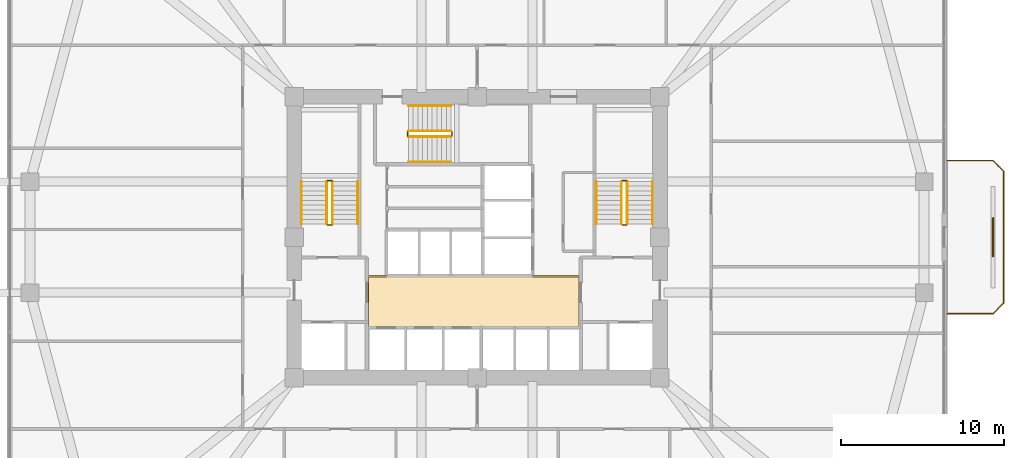
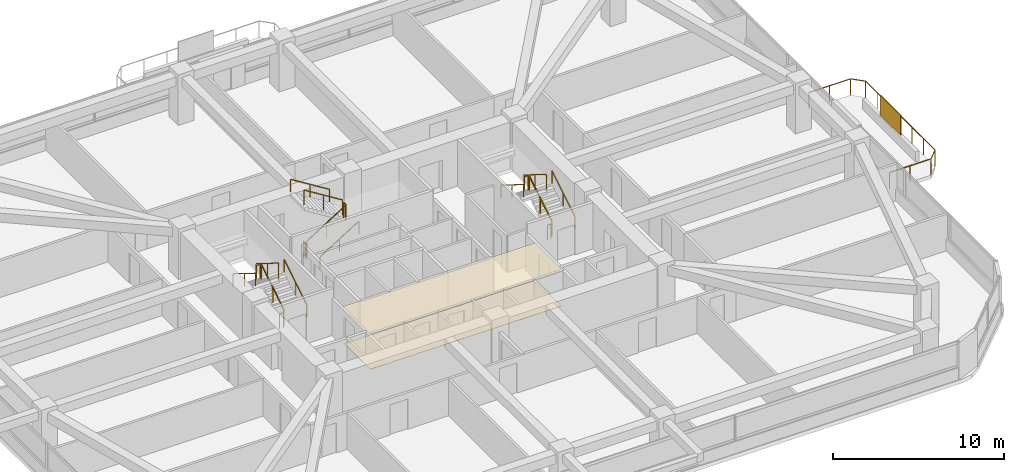
# One storey, part 13 of 14: 19 railings, 2 coverings, 1 shading device.
"""IFC4 building model written with IfcOpenShell, lengths in metres."""

from ifc_helpers import new_model, si_unit, derived_unit, direction, frame, origin, origin_2d, place, context, subcontext, project, spatial, polyline, rectangle, outline, extrude, material, layer, layer_set, type_object, element, save


model = new_model("IFC4")

# Units and contexts
model_context = context("Model", 3, precision=1e-05, world=origin(), true_north=direction((0.0, 1.0)))
body_context = subcontext(model_context, "Body", "Model", "MODEL_VIEW")
ifc_project = project(units=[si_unit("LENGTHUNIT", "METRE"), si_unit("AREAUNIT", "SQUARE_METRE"), si_unit("VOLUMEUNIT", "CUBIC_METRE"), si_unit("PLANEANGLEUNIT", "RADIAN"), si_unit("MASSUNIT", "GRAM", prefix="KILO"), derived_unit("THERMALTRANSMITTANCEUNIT", [(si_unit("POWERUNIT", "WATT"), 1), (si_unit("LENGTHUNIT", "METRE"), -2), (si_unit("THERMODYNAMICTEMPERATUREUNIT", "KELVIN"), -1)])], contexts=[model_context])

# Site, building, storey
site_placement = place(None, origin())
site = spatial("IfcSite", under=ifc_project, at=site_placement, CompositionType="ELEMENT")
building_placement = place(site_placement, origin())
building = spatial("IfcBuilding", under=site, at=building_placement, Name="Koralith Skygarden Medical Center", CompositionType="ELEMENT")
storey_placement = place(building_placement, frame((0.0, 0.0, 45.5400390625)))
storey = spatial("IfcBuildingStorey", under=building, at=storey_placement, Name="L11", CompositionType="ELEMENT", Elevation=45.5400390625)

# Covering
ifc_material_1 = material(Name="Acoustic Mineral Tile")
ifc_layer_1 = layer(ifc_material_1, 0.02001953125)
ifc_layer_set_1 = layer_set([ifc_layer_1], Name="Acoustic Mineral Tile")
covering_type_1 = type_object("IfcCoveringType", Name="Acoustic Hygienic Mineral Ceiling 20", PredefinedType="CEILING", material=ifc_layer_set_1)
covering_1_placement = place(storey_placement, frame((0.0, 0.0, 2.5849609375)))
element("IfcCovering", 1, at=covering_1_placement, inside=storey, type_object=covering_type_1, Name="L11 Core Lobby Acoustic Ceiling", PredefinedType="CEILING", context=body_context, shape_type="SweptSolid", body=[
    extrude(outline(polyline([(30.25, 20.320068359375), (43.35009765625, 20.320068359375), (43.35009765625, 23.56005859375), (30.25, 23.56005859375), (30.25, 20.320068359375)])), origin(), (0.0, 0.0, 1.0), 0.02001953125),
])

# Railing
ifc_material_2 = material(Name="Steel ASTM A500 Grade C", Category="steel")
railing_type_1 = type_object("IfcRailingType", Name="Outdoor Terrace & Balcony Safety Guardrail 1180", PredefinedType="GUARDRAIL", material=ifc_material_2)
railing_1_placement = place(storey_placement, frame((65.800048828125, 21.199951171875, 0.0)))
element("IfcRailing", 2, at=railing_1_placement, inside=storey, type_object=railing_type_1, Name="L11 E Balcony Perimeter Guardrail", PredefinedType="GUARDRAIL", context=body_context, shape_type="SweptSolid", body=[
    extrude(rectangle(XDim=0.050048828125, YDim=0.050048828125, at=origin_2d()), frame((0.001953125, 0.0, 1.15478515625), z_axis=(1.0, 0.0, 0.0), x_axis=(0.0, 1.0, 0.0)), (0.0, 0.0, 1.0), 2.796142578125),
    extrude(rectangle(XDim=0.050048828125, YDim=0.050048828125, at=origin_2d()), frame((2.801513671875, 0.00146484375, 1.15478515625), z_axis=(0.706973978714, 0.707239558722, 0.0), x_axis=(-0.707239558722, 0.706973978714, 0.0)), (0.0, 0.0, 1.0), 0.915283203125),
    extrude(rectangle(XDim=0.050048828125, YDim=0.050048828125, at=origin_2d()), frame((3.449951171875, 0.652099609375, 1.15478515625), z_axis=(0.0, 1.0, 0.0), x_axis=(-1.0, 0.0, 0.0)), (0.0, 0.0, 1.0), 8.095947265625),
    extrude(rectangle(XDim=0.050048828125, YDim=0.050048828125, at=origin_2d()), frame((3.448486328125, 8.75146484375, 1.15478515625), z_axis=(-0.706973978714, 0.707239558722, 0.0), x_axis=(-0.707239558722, -0.706973978714, 0.0)), (0.0, 0.0, 1.0), 0.915283203125),
    extrude(rectangle(XDim=0.050048828125, YDim=0.050048828125, at=origin_2d()), frame((2.798095703125, 9.400146484375, 1.15478515625), z_axis=(-1.0, 0.0, 0.0), x_axis=(0.0, -1.0, 0.0)), (0.0, 0.0, 1.0), 2.796142578125),
    extrude(rectangle(XDim=0.0419921875, YDim=0.0419921875, at=origin_2d()), origin(), (0.0, 0.0, 1.0), 1.1279296875),
    extrude(rectangle(XDim=0.0419921875, YDim=0.0419921875, at=origin_2d()), frame((1.39990234375, 0.0, 0.0)), (0.0, 0.0, 1.0), 1.1279296875),
    extrude(rectangle(XDim=0.0419921875, YDim=0.0419921875, at=origin_2d()), frame((2.800048828125, 0.0, 0.0)), (0.0, 0.0, 1.0), 1.1279296875),
    extrude(rectangle(XDim=0.0419921875, YDim=0.0419921875, at=origin_2d()), frame((3.449951171875, 0.650146484375, 0.0)), (0.0, 0.0, 1.0), 1.1279296875),
    extrude(rectangle(XDim=0.0419921875, YDim=0.0419921875, at=origin_2d()), frame((3.449951171875, 2.0, 0.0)), (0.0, 0.0, 1.0), 1.1279296875),
    extrude(rectangle(XDim=0.0419921875, YDim=0.0419921875, at=origin_2d()), frame((3.449951171875, 3.35009765625, 0.0)), (0.0, 0.0, 1.0), 1.1279296875),
    extrude(rectangle(XDim=0.0419921875, YDim=0.0419921875, at=origin_2d()), frame((3.449951171875, 4.7001953125, 0.0)), (0.0, 0.0, 1.0), 1.1279296875),
    extrude(rectangle(XDim=0.0419921875, YDim=0.0419921875, at=origin_2d()), frame((3.449951171875, 6.050048828125, 0.0)), (0.0, 0.0, 1.0), 1.1279296875),
    extrude(rectangle(XDim=0.0419921875, YDim=0.0419921875, at=origin_2d()), frame((3.449951171875, 7.39990234375, 0.0)), (0.0, 0.0, 1.0), 1.1279296875),
    extrude(rectangle(XDim=0.0419921875, YDim=0.0419921875, at=origin_2d()), frame((3.449951171875, 8.75, 0.0)), (0.0, 0.0, 1.0), 1.1279296875),
    extrude(rectangle(XDim=0.0419921875, YDim=0.0419921875, at=origin_2d()), frame((2.800048828125, 9.400146484375, 0.0)), (0.0, 0.0, 1.0), 1.1279296875),
    extrude(rectangle(XDim=0.0419921875, YDim=0.0419921875, at=origin_2d()), frame((1.39990234375, 9.400146484375, 0.0)), (0.0, 0.0, 1.0), 1.1279296875),
    extrude(rectangle(XDim=0.0419921875, YDim=0.0419921875, at=origin_2d()), frame((0.0, 9.400146484375, 0.0)), (0.0, 0.0, 1.0), 1.1279296875),
])

# Shading device
ifc_material_3 = material(Name="Aluminium 6063-T6", Category="aluminium")
ifc_layer_2 = layer(ifc_material_3, 0.080078125)
ifc_layer_set_2 = layer_set([ifc_layer_2], Name="Aluminium 6063-T6")
shading_device_type = type_object("IfcShadingDeviceType", Name="Perforated Biophilic Balcony Trellis Screen", PredefinedType="USERDEFINED", material=ifc_layer_set_2)
shading_device_placement = place(storey_placement, frame((68.60009765625, 25.89990234375, 0.719970703125), z_axis=(0.0, 0.0, 1.0), x_axis=(0.0, 1.0, 0.0)))
element("IfcShadingDevice", 3, at=shading_device_placement, inside=storey, type_object=shading_device_type, Name="L11 E Biophilic Balcony Trellis Screen", ObjectType="HURRICANE SCREEN", PredefinedType="USERDEFINED", context=body_context, shape_type="SweptSolid", body=[
    extrude(rectangle(XDim=2.39990234375, YDim=0.080078125, at=origin_2d()), origin(), (0.0, 0.0, 1.0), 1.39990234375),
])

# Covering
ifc_material_4 = material(Name="Medical Terrazzo Flooring")
ifc_layer_3 = layer(ifc_material_4, 0.014892578125)
ifc_layer_set_3 = layer_set([ifc_layer_3], Name="Medical Terrazzo Flooring")
covering_type_2 = type_object("IfcCoveringType", Name="Seamless Antimicrobial Terrazzo Flooring 15", PredefinedType="FLOORING", material=ifc_layer_set_3)
covering_2_placement = place(storey_placement, origin())
element("IfcCovering", 4, at=covering_2_placement, inside=storey, type_object=covering_type_2, Name="L11 Core Lobby Terrazzo Flooring", PredefinedType="FLOORING", context=body_context, shape_type="SweptSolid", body=[
    extrude(outline(polyline([(30.35009765625, 20.419921875), (43.25, 20.419921875), (43.25, 23.4599609375), (30.35009765625, 23.4599609375), (30.35009765625, 20.419921875)])), origin(), (0.0, 0.0, 1.0), 0.014892578125),
])

# Railings
railing_type_2 = type_object("IfcRailingType", Name="Stair Flight Tubular Handrail 920", PredefinedType="HANDRAIL", material=ifc_material_2)
railing_2_placement = place(storey_placement, frame((29.699951171875, 26.699951171875, 0.179931640625)))
element("IfcRailing", 5, at=railing_2_placement, inside=storey, type_object=railing_type_2, Name="L11 ST1 stair handrail 1", PredefinedType="HANDRAIL", context=body_context, shape_type="SweptSolid", body=[
    extrude(rectangle(XDim=0.050048828125, YDim=0.050048828125, at=origin_2d()), frame((0.0, 0.001708984375, 0.89599609375), z_axis=(0.0, 0.849632798774, 0.527374731332), x_axis=(-1.0, 0.0, 0.0)), (0.0, 0.0, 1.0), 3.068115234375),
    extrude(rectangle(XDim=0.0419921875, YDim=0.0419921875, at=origin_2d()), origin(), (0.0, 0.0, 1.0), 0.867919921875),
    extrude(rectangle(XDim=0.0419921875, YDim=0.0419921875, at=origin_2d()), frame((0.0, 1.30517578125, 0.81005859375)), (0.0, 0.0, 1.0), 0.867919921875),
    extrude(rectangle(XDim=0.0419921875, YDim=0.0419921875, at=origin_2d()), frame((0.0, 2.610107421875, 1.6201171875)), (0.0, 0.0, 1.0), 0.867919921875),
])
railing_3_placement = place(storey_placement, frame((26.25, 29.31005859375, 1.97998046875)))
element("IfcRailing", 6, at=railing_3_placement, inside=storey, type_object=railing_type_2, Name="L11 ST1 stair handrail 2", PredefinedType="HANDRAIL", context=body_context, shape_type="SweptSolid", body=[
    extrude(rectangle(XDim=0.050048828125, YDim=0.050048828125, at=origin_2d()), frame((0.0, -0.001708984375, 0.89599609375), z_axis=(0.0, -0.849668407637, 0.527317358963), x_axis=(1.0, 0.0, 0.0)), (0.0, 0.0, 1.0), 3.06787109375),
    extrude(rectangle(XDim=0.0419921875, YDim=0.0419921875, at=origin_2d()), origin(), (0.0, 0.0, 1.0), 0.867919921875),
    extrude(rectangle(XDim=0.0419921875, YDim=0.0419921875, at=origin_2d()), frame((0.0, -1.30517578125, 0.81005859375)), (0.0, 0.0, 1.0), 0.867919921875),
    extrude(rectangle(XDim=0.0419921875, YDim=0.0419921875, at=origin_2d()), frame((0.0, -2.610107421875, 1.619873046875)), (0.0, 0.0, 1.0), 0.867919921875),
])
railing_4_placement = place(storey_placement, frame((47.75, 26.699951171875, 0.179931640625)))
element("IfcRailing", 7, at=railing_4_placement, inside=storey, type_object=railing_type_2, Name="L11 ST2 stair handrail 1", PredefinedType="HANDRAIL", context=body_context, shape_type="SweptSolid", body=[
    extrude(rectangle(XDim=0.050048828125, YDim=0.050048828125, at=origin_2d()), frame((0.0, 0.001708984375, 0.89599609375), z_axis=(0.0, 0.849632798774, 0.527374731332), x_axis=(-1.0, 0.0, 0.0)), (0.0, 0.0, 1.0), 3.068115234375),
    extrude(rectangle(XDim=0.0419921875, YDim=0.0419921875, at=origin_2d()), origin(), (0.0, 0.0, 1.0), 0.867919921875),
    extrude(rectangle(XDim=0.0419921875, YDim=0.0419921875, at=origin_2d()), frame((0.0, 1.30517578125, 0.81005859375)), (0.0, 0.0, 1.0), 0.867919921875),
    extrude(rectangle(XDim=0.0419921875, YDim=0.0419921875, at=origin_2d()), frame((0.0, 2.610107421875, 1.6201171875)), (0.0, 0.0, 1.0), 0.867919921875),
])
railing_5_placement = place(storey_placement, frame((44.300048828125, 29.31005859375, 1.97998046875)))
element("IfcRailing", 8, at=railing_5_placement, inside=storey, type_object=railing_type_2, Name="L11 ST2 stair handrail 2", PredefinedType="HANDRAIL", context=body_context, shape_type="SweptSolid", body=[
    extrude(rectangle(XDim=0.050048828125, YDim=0.050048828125, at=origin_2d()), frame((0.0, -0.001708984375, 0.89599609375), z_axis=(0.0, -0.849668407637, 0.527317358963), x_axis=(1.0, 0.0, 0.0)), (0.0, 0.0, 1.0), 3.06787109375),
    extrude(rectangle(XDim=0.0419921875, YDim=0.0419921875, at=origin_2d()), origin(), (0.0, 0.0, 1.0), 0.867919921875),
    extrude(rectangle(XDim=0.0419921875, YDim=0.0419921875, at=origin_2d()), frame((0.0, -1.30517578125, 0.81005859375)), (0.0, 0.0, 1.0), 0.867919921875),
    extrude(rectangle(XDim=0.0419921875, YDim=0.0419921875, at=origin_2d()), frame((0.0, -2.610107421875, 1.619873046875)), (0.0, 0.0, 1.0), 0.867919921875),
])
railing_6_placement = place(storey_placement, frame((32.800048828125, 30.5, 0.179931640625)))
element("IfcRailing", 9, at=railing_6_placement, inside=storey, type_object=railing_type_2, Name="L11 ST3 stair handrail 1", PredefinedType="HANDRAIL", context=body_context, shape_type="SweptSolid", body=[
    extrude(rectangle(XDim=0.050048828125, YDim=0.050048828125, at=origin_2d()), frame((0.001708984375, 0.0, 0.89599609375), z_axis=(0.849610693518, 0.0, 0.52741034258), x_axis=(0.0, 1.0, 0.0)), (0.0, 0.0, 1.0), 3.06787109375),
    extrude(rectangle(XDim=0.0419921875, YDim=0.0419921875, at=origin_2d()), origin(), (0.0, 0.0, 1.0), 0.867919921875),
    extrude(rectangle(XDim=0.0419921875, YDim=0.0419921875, at=origin_2d()), frame((1.304931640625, 0.0, 0.81005859375)), (0.0, 0.0, 1.0), 0.867919921875),
    extrude(rectangle(XDim=0.0419921875, YDim=0.0419921875, at=origin_2d()), frame((2.60986328125, 0.0, 1.6201171875)), (0.0, 0.0, 1.0), 0.867919921875),
])
railing_7_placement = place(storey_placement, frame((35.409912109375, 33.949951171875, 1.97998046875)))
element("IfcRailing", 10, at=railing_7_placement, inside=storey, type_object=railing_type_2, Name="L11 ST3 stair handrail 2", PredefinedType="HANDRAIL", context=body_context, shape_type="SweptSolid", body=[
    extrude(rectangle(XDim=0.050048828125, YDim=0.050048828125, at=origin_2d()), frame((-0.001708984375, 0.0, 0.89599609375), z_axis=(-0.849646306263, 0.0, 0.527352969322), x_axis=(0.0, -1.0, 0.0)), (0.0, 0.0, 1.0), 3.067626953125),
    extrude(rectangle(XDim=0.0419921875, YDim=0.0419921875, at=origin_2d()), origin(), (0.0, 0.0, 1.0), 0.867919921875),
    extrude(rectangle(XDim=0.0419921875, YDim=0.0419921875, at=origin_2d()), frame((-1.304931640625, 0.0, 0.81005859375)), (0.0, 0.0, 1.0), 0.867919921875),
    extrude(rectangle(XDim=0.0419921875, YDim=0.0419921875, at=origin_2d()), frame((-2.60986328125, 0.0, 1.619873046875)), (0.0, 0.0, 1.0), 0.867919921875),
])
railing_type_3 = type_object("IfcRailingType", Name="Stair Well Safety Guardrail 1100", PredefinedType="GUARDRAIL", material=ifc_material_2)
railing_8_placement = place(storey_placement, frame((28.14990234375, 26.699951171875, 0.179931640625)))
element("IfcRailing", 11, at=railing_8_placement, inside=storey, type_object=railing_type_3, Name="L11 ST1 stair guard 1", PredefinedType="GUARDRAIL", context=body_context, shape_type="SweptSolid", body=[
    extrude(rectangle(XDim=0.050048828125, YDim=0.050048828125, at=origin_2d()), frame((0.0, 0.001708984375, 1.076171875), z_axis=(0.0, 0.849632798774, 0.527374731332), x_axis=(-1.0, 0.0, 0.0)), (0.0, 0.0, 1.0), 3.068115234375),
    extrude(rectangle(XDim=0.0419921875, YDim=0.0419921875, at=origin_2d()), origin(), (0.0, 0.0, 1.0), 1.048095703125),
    extrude(rectangle(XDim=0.0419921875, YDim=0.0419921875, at=origin_2d()), frame((0.0, 1.30517578125, 0.81005859375)), (0.0, 0.0, 1.0), 1.048095703125),
    extrude(rectangle(XDim=0.0419921875, YDim=0.0419921875, at=origin_2d()), frame((0.0, 2.610107421875, 1.6201171875)), (0.0, 0.0, 1.0), 1.048095703125),
])
railing_9_placement = place(storey_placement, frame((28.10009765625, 29.360107421875, 1.800048828125)))
element("IfcRailing", 12, at=railing_9_placement, inside=storey, type_object=railing_type_3, Name="L11 ST1 stair guard 2", PredefinedType="GUARDRAIL", context=body_context, shape_type="SweptSolid", body=[
    extrude(rectangle(XDim=0.050048828125, YDim=0.050048828125, at=origin_2d()), frame((-0.001953125, 0.0, 1.0751953125), z_axis=(-1.0, 0.0, 0.0), x_axis=(0.0, -1.0, 0.0)), (0.0, 0.0, 1.0), 0.24609375),
    extrude(rectangle(XDim=0.0419921875, YDim=0.0419921875, at=origin_2d()), origin(), (0.0, 0.0, 1.0), 1.048095703125),
    extrude(rectangle(XDim=0.0419921875, YDim=0.0419921875, at=origin_2d()), frame((-0.25, 0.0, 0.0)), (0.0, 0.0, 1.0), 1.048095703125),
])
railing_10_placement = place(storey_placement, frame((27.800048828125, 29.31005859375, 1.97998046875)))
element("IfcRailing", 13, at=railing_10_placement, inside=storey, type_object=railing_type_3, Name="L11 ST1 stair guard 3", PredefinedType="GUARDRAIL", context=body_context, shape_type="SweptSolid", body=[
    extrude(rectangle(XDim=0.050048828125, YDim=0.050048828125, at=origin_2d()), frame((0.0, -0.001708984375, 1.076171875), z_axis=(0.0, -0.849668407637, 0.527317358963), x_axis=(1.0, 0.0, 0.0)), (0.0, 0.0, 1.0), 3.06787109375),
    extrude(rectangle(XDim=0.0419921875, YDim=0.0419921875, at=origin_2d()), origin(), (0.0, 0.0, 1.0), 1.048095703125),
    extrude(rectangle(XDim=0.0419921875, YDim=0.0419921875, at=origin_2d()), frame((0.0, -1.30517578125, 0.81005859375)), (0.0, 0.0, 1.0), 1.048095703125),
    extrude(rectangle(XDim=0.0419921875, YDim=0.0419921875, at=origin_2d()), frame((0.0, -2.610107421875, 1.619873046875)), (0.0, 0.0, 1.0), 1.048095703125),
])
railing_11_placement = place(storey_placement, frame((28.10009765625, 26.64990234375, 0.0)))
element("IfcRailing", 14, at=railing_11_placement, inside=storey, type_object=railing_type_3, Name="L11 ST1 stair guard 4", PredefinedType="GUARDRAIL", context=body_context, shape_type="SweptSolid", body=[
    extrude(rectangle(XDim=0.050048828125, YDim=0.050048828125, at=origin_2d()), frame((-0.001953125, 0.0, 1.0751953125), z_axis=(-1.0, 0.0, 0.0), x_axis=(0.0, -1.0, 0.0)), (0.0, 0.0, 1.0), 0.24609375),
    extrude(rectangle(XDim=0.0419921875, YDim=0.0419921875, at=origin_2d()), origin(), (0.0, 0.0, 1.0), 1.048095703125),
    extrude(rectangle(XDim=0.0419921875, YDim=0.0419921875, at=origin_2d()), frame((-0.25, 0.0, 0.0)), (0.0, 0.0, 1.0), 1.048095703125),
])
railing_12_placement = place(storey_placement, frame((46.199951171875, 26.699951171875, 0.179931640625)))
element("IfcRailing", 15, at=railing_12_placement, inside=storey, type_object=railing_type_3, Name="L11 ST2 stair guard 1", PredefinedType="GUARDRAIL", context=body_context, shape_type="SweptSolid", body=[
    extrude(rectangle(XDim=0.050048828125, YDim=0.050048828125, at=origin_2d()), frame((0.0, 0.001708984375, 1.076171875), z_axis=(0.0, 0.849632798774, 0.527374731332), x_axis=(-1.0, 0.0, 0.0)), (0.0, 0.0, 1.0), 3.068115234375),
    extrude(rectangle(XDim=0.0419921875, YDim=0.0419921875, at=origin_2d()), origin(), (0.0, 0.0, 1.0), 1.048095703125),
    extrude(rectangle(XDim=0.0419921875, YDim=0.0419921875, at=origin_2d()), frame((0.0, 1.30517578125, 0.81005859375)), (0.0, 0.0, 1.0), 1.048095703125),
    extrude(rectangle(XDim=0.0419921875, YDim=0.0419921875, at=origin_2d()), frame((0.0, 2.610107421875, 1.6201171875)), (0.0, 0.0, 1.0), 1.048095703125),
])
railing_13_placement = place(storey_placement, frame((46.14990234375, 29.360107421875, 1.800048828125)))
element("IfcRailing", 16, at=railing_13_placement, inside=storey, type_object=railing_type_3, Name="L11 ST2 stair guard 2", PredefinedType="GUARDRAIL", context=body_context, shape_type="SweptSolid", body=[
    extrude(rectangle(XDim=0.050048828125, YDim=0.050048828125, at=origin_2d()), frame((-0.001953125, 0.0, 1.0751953125), z_axis=(-1.0, 0.0, 0.0), x_axis=(0.0, -1.0, 0.0)), (0.0, 0.0, 1.0), 0.24609375),
    extrude(rectangle(XDim=0.0419921875, YDim=0.0419921875, at=origin_2d()), origin(), (0.0, 0.0, 1.0), 1.048095703125),
    extrude(rectangle(XDim=0.0419921875, YDim=0.0419921875, at=origin_2d()), frame((-0.25, 0.0, 0.0)), (0.0, 0.0, 1.0), 1.048095703125),
])
railing_14_placement = place(storey_placement, frame((45.85009765625, 29.31005859375, 1.97998046875)))
element("IfcRailing", 17, at=railing_14_placement, inside=storey, type_object=railing_type_3, Name="L11 ST2 stair guard 3", PredefinedType="GUARDRAIL", context=body_context, shape_type="SweptSolid", body=[
    extrude(rectangle(XDim=0.050048828125, YDim=0.050048828125, at=origin_2d()), frame((0.0, -0.001708984375, 1.076171875), z_axis=(0.0, -0.849668407637, 0.527317358963), x_axis=(1.0, 0.0, 0.0)), (0.0, 0.0, 1.0), 3.06787109375),
    extrude(rectangle(XDim=0.0419921875, YDim=0.0419921875, at=origin_2d()), origin(), (0.0, 0.0, 1.0), 1.048095703125),
    extrude(rectangle(XDim=0.0419921875, YDim=0.0419921875, at=origin_2d()), frame((0.0, -1.30517578125, 0.81005859375)), (0.0, 0.0, 1.0), 1.048095703125),
    extrude(rectangle(XDim=0.0419921875, YDim=0.0419921875, at=origin_2d()), frame((0.0, -2.610107421875, 1.619873046875)), (0.0, 0.0, 1.0), 1.048095703125),
])
railing_15_placement = place(storey_placement, frame((46.14990234375, 26.64990234375, 0.0)))
element("IfcRailing", 18, at=railing_15_placement, inside=storey, type_object=railing_type_3, Name="L11 ST2 stair guard 4", PredefinedType="GUARDRAIL", context=body_context, shape_type="SweptSolid", body=[
    extrude(rectangle(XDim=0.050048828125, YDim=0.050048828125, at=origin_2d()), frame((-0.001953125, 0.0, 1.0751953125), z_axis=(-1.0, 0.0, 0.0), x_axis=(0.0, -1.0, 0.0)), (0.0, 0.0, 1.0), 0.24609375),
    extrude(rectangle(XDim=0.0419921875, YDim=0.0419921875, at=origin_2d()), origin(), (0.0, 0.0, 1.0), 1.048095703125),
    extrude(rectangle(XDim=0.0419921875, YDim=0.0419921875, at=origin_2d()), frame((-0.25, 0.0, 0.0)), (0.0, 0.0, 1.0), 1.048095703125),
])
railing_16_placement = place(storey_placement, frame((32.800048828125, 32.050048828125, 0.179931640625)))
element("IfcRailing", 19, at=railing_16_placement, inside=storey, type_object=railing_type_3, Name="L11 ST3 stair guard 1", PredefinedType="GUARDRAIL", context=body_context, shape_type="SweptSolid", body=[
    extrude(rectangle(XDim=0.050048828125, YDim=0.050048828125, at=origin_2d()), frame((0.001708984375, 0.0, 1.076171875), z_axis=(0.849610693518, 0.0, 0.52741034258), x_axis=(0.0, 1.0, 0.0)), (0.0, 0.0, 1.0), 3.06787109375),
    extrude(rectangle(XDim=0.0419921875, YDim=0.0419921875, at=origin_2d()), origin(), (0.0, 0.0, 1.0), 1.048095703125),
    extrude(rectangle(XDim=0.0419921875, YDim=0.0419921875, at=origin_2d()), frame((1.304931640625, 0.0, 0.81005859375)), (0.0, 0.0, 1.0), 1.048095703125),
    extrude(rectangle(XDim=0.0419921875, YDim=0.0419921875, at=origin_2d()), frame((2.60986328125, 0.0, 1.6201171875)), (0.0, 0.0, 1.0), 1.048095703125),
])
railing_17_placement = place(storey_placement, frame((35.4599609375, 32.10009765625, 1.800048828125)))
element("IfcRailing", 20, at=railing_17_placement, inside=storey, type_object=railing_type_3, Name="L11 ST3 stair guard 2", PredefinedType="GUARDRAIL", context=body_context, shape_type="SweptSolid", body=[
    extrude(rectangle(XDim=0.050048828125, YDim=0.050048828125, at=origin_2d()), frame((0.0, 0.001953125, 1.0751953125), z_axis=(0.0, 1.0, 0.0), x_axis=(-1.0, 0.0, 0.0)), (0.0, 0.0, 1.0), 0.24609375),
    extrude(rectangle(XDim=0.0419921875, YDim=0.0419921875, at=origin_2d()), origin(), (0.0, 0.0, 1.0), 1.048095703125),
    extrude(rectangle(XDim=0.0419921875, YDim=0.0419921875, at=origin_2d()), frame((0.0, 0.25, 0.0)), (0.0, 0.0, 1.0), 1.048095703125),
])
railing_18_placement = place(storey_placement, frame((35.409912109375, 32.39990234375, 1.97998046875)))
element("IfcRailing", 21, at=railing_18_placement, inside=storey, type_object=railing_type_3, Name="L11 ST3 stair guard 3", PredefinedType="GUARDRAIL", context=body_context, shape_type="SweptSolid", body=[
    extrude(rectangle(XDim=0.050048828125, YDim=0.050048828125, at=origin_2d()), frame((-0.001708984375, 0.0, 1.076171875), z_axis=(-0.849646306263, 0.0, 0.527352969322), x_axis=(0.0, -1.0, 0.0)), (0.0, 0.0, 1.0), 3.067626953125),
    extrude(rectangle(XDim=0.0419921875, YDim=0.0419921875, at=origin_2d()), origin(), (0.0, 0.0, 1.0), 1.048095703125),
    extrude(rectangle(XDim=0.0419921875, YDim=0.0419921875, at=origin_2d()), frame((-1.304931640625, 0.0, 0.81005859375)), (0.0, 0.0, 1.0), 1.048095703125),
    extrude(rectangle(XDim=0.0419921875, YDim=0.0419921875, at=origin_2d()), frame((-2.60986328125, 0.0, 1.619873046875)), (0.0, 0.0, 1.0), 1.048095703125),
])
railing_19_placement = place(storey_placement, frame((32.75, 32.10009765625, 0.0)))
element("IfcRailing", 22, at=railing_19_placement, inside=storey, type_object=railing_type_3, Name="L11 ST3 stair guard 4", PredefinedType="GUARDRAIL", context=body_context, shape_type="SweptSolid", body=[
    extrude(rectangle(XDim=0.050048828125, YDim=0.050048828125, at=origin_2d()), frame((0.0, 0.001953125, 1.0751953125), z_axis=(0.0, 1.0, 0.0), x_axis=(-1.0, 0.0, 0.0)), (0.0, 0.0, 1.0), 0.24609375),
    extrude(rectangle(XDim=0.0419921875, YDim=0.0419921875, at=origin_2d()), origin(), (0.0, 0.0, 1.0), 1.048095703125),
    extrude(rectangle(XDim=0.0419921875, YDim=0.0419921875, at=origin_2d()), frame((0.0, 0.25, 0.0)), (0.0, 0.0, 1.0), 1.048095703125),
])

save(model, "model.ifc")
